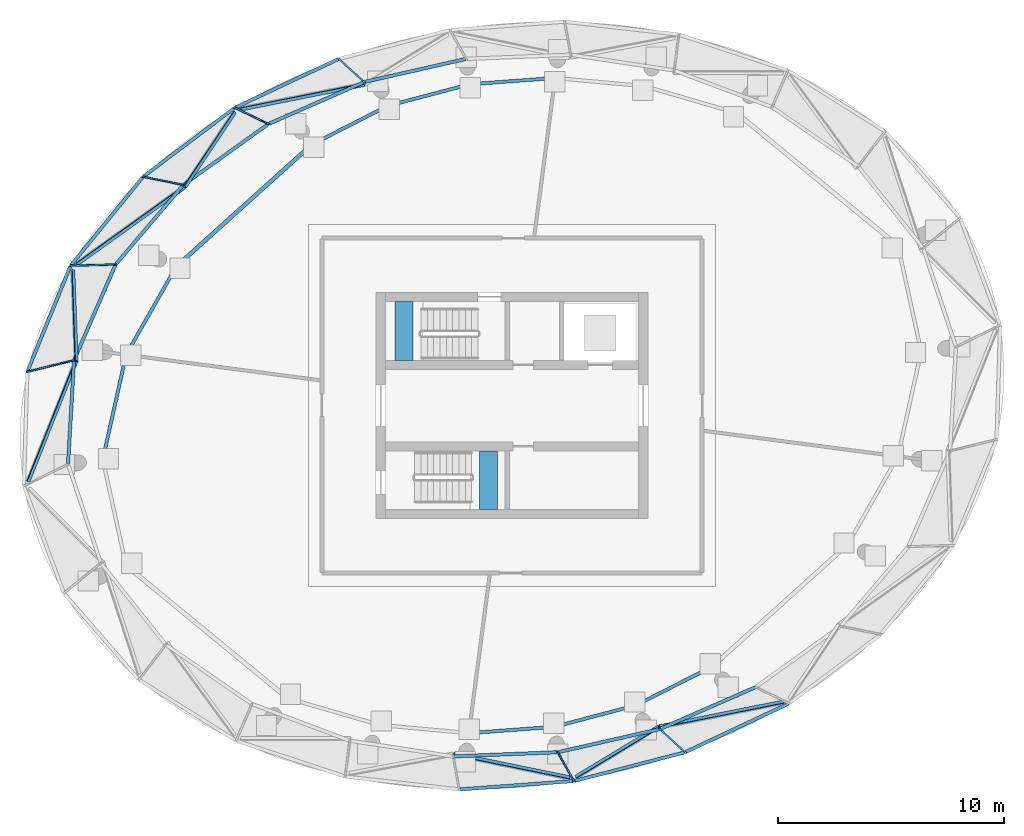
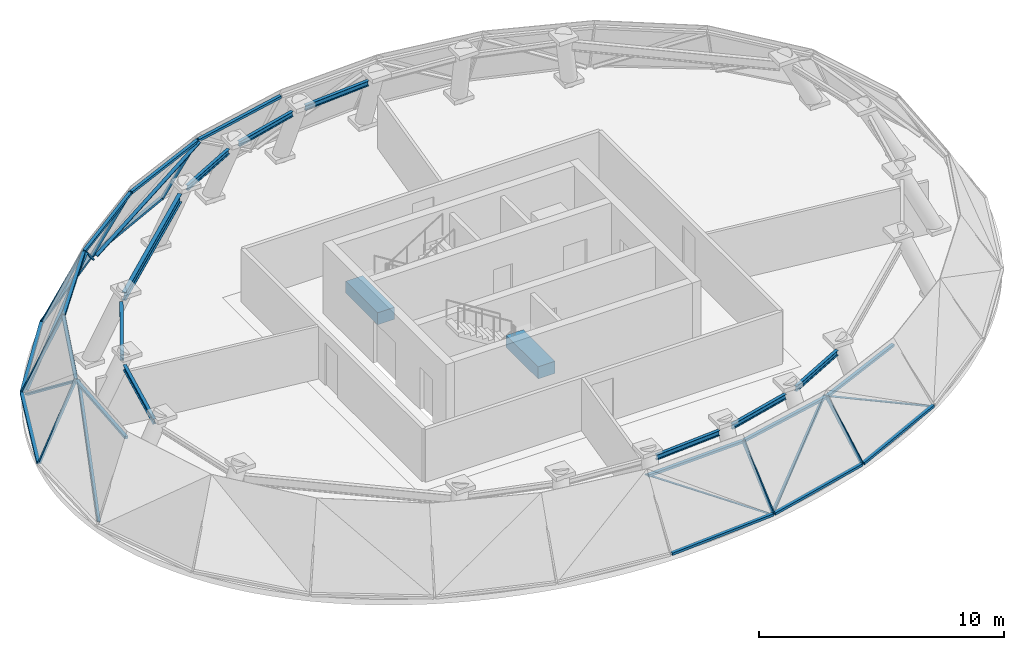
# One storey, part 2 of 9: 31 members, 11 beams, 17 elements without a shape of their own.
"""IFC4 building model written with IfcOpenShell, lengths in metres."""

import ifcopenshell
import ifcopenshell.guid

model = None  # the IFC model being written
_history = None  # IfcOwnerHistory: only IFC2X3 demands one
_inside = {}  # id of a spatial element -> (the spatial element, [elements in it])
_under = {}  # id of a project, library or spatial element -> (it, [spatial elements below it])
_declared = {}  # id of a project -> (the project, [libraries it declares])
_typed = {}  # id of a type object -> (the type object, [elements of that type])
_made_of = {}  # id of a material, layer set ... -> (it, [elements and type objects made of it])


def new_model(schema):
    """Start an empty IFC model of exactly this schema.

    Asked for "IFC4X3", IfcOpenShell would pick the latest addendum, in which some entities
    have other attributes; the version numbers below select the first issue.
    IFC2X3 requires an IfcOwnerHistory on every rooted entity: one is made here for all.
    """
    global model, _history
    if schema == "IFC4X3":
        model = ifcopenshell.file(schema_version=(4, 3, 0, 0))
    else:
        model = ifcopenshell.file(schema=schema)
    _inside.clear()
    _under.clear()
    _declared.clear()
    _typed.clear()
    _made_of.clear()
    _history = None
    if model.schema == "IFC2X3":
        org = make("IfcOrganization", Name="unknown")
        user = make(
            "IfcPersonAndOrganization",
            ThePerson=make("IfcPerson", FamilyName="unknown"),
            TheOrganization=org,
        )
        app = make(
            "IfcApplication",
            ApplicationDeveloper=org,
            Version="unknown",
            ApplicationFullName="unknown",
            ApplicationIdentifier="unknown",
        )
        _history = make(
            "IfcOwnerHistory",
            OwningUser=user,
            OwningApplication=app,
            ChangeAction="ADDED",
            CreationDate=0,
        )
    return model


def make(cls, **values):
    """One entity of the class cls with the attributes given. An attribute that is None is left unset."""
    return model.create_entity(
        cls, **{name: value for name, value in values.items() if value is not None}
    )


def rooted(cls, **values):
    """An entity with a GlobalId (a new one), such as an element, a storey or a relation."""
    return make(cls, GlobalId=ifcopenshell.guid.new(), OwnerHistory=_history, **values)


def si_unit(unit_type, name, prefix=None):
    """IfcSIUnit, for example si_unit("LENGTHUNIT", "METRE", prefix="MILLI")."""
    return make("IfcSIUnit", UnitType=unit_type, Prefix=prefix, Name=name)


def assignment(units):
    """IfcUnitAssignment: the units of a project."""
    return None if units is None else make("IfcUnitAssignment", Units=units)


def point(xyz):
    """IfcCartesianPoint."""
    return None if xyz is None else make("IfcCartesianPoint", Coordinates=xyz)


def direction(xyz):
    """IfcDirection."""
    return None if xyz is None else make("IfcDirection", DirectionRatios=xyz)


def frame(location, z_axis=None, x_axis=None):
    """IfcAxis2Placement3D, a coordinate frame: its origin and axes. An axis left out is left unset."""
    return make(
        "IfcAxis2Placement3D",
        Location=point(location),
        Axis=direction(z_axis),
        RefDirection=direction(x_axis),
    )


def frame_2d(location, x_axis=None):
    """IfcAxis2Placement2D, a coordinate frame in the plane: its origin and x axis."""
    return make(
        "IfcAxis2Placement2D", Location=point(location), RefDirection=direction(x_axis)
    )


def origin():
    """The frame at (0, 0, 0) with its axes left unset."""
    return frame((0.0, 0.0, 0.0))


def origin_2d():
    """The frame at (0, 0) in the plane with its x axis left unset."""
    return frame_2d((0.0, 0.0))


def place(relative_to, where):
    """IfcLocalPlacement: puts the frame where relative to a parent placement (None: the world)."""
    return make(
        "IfcLocalPlacement", PlacementRelTo=relative_to, RelativePlacement=where
    )


def context(
    kind, dimensions, precision=None, world=None, true_north=None, identifier=None
):
    """IfcGeometricRepresentationContext, for example the 3D "Model" context."""
    return make(
        "IfcGeometricRepresentationContext",
        ContextIdentifier=identifier,
        ContextType=kind,
        CoordinateSpaceDimension=dimensions,
        Precision=precision,
        WorldCoordinateSystem=world,
        TrueNorth=true_north,
    )


def subcontext(parent, identifier, kind, view, scale=None):
    """IfcGeometricRepresentationSubContext, for example "Body" below "Model"."""
    return make(
        "IfcGeometricRepresentationSubContext",
        ContextIdentifier=identifier,
        ContextType=kind,
        ParentContext=parent,
        TargetScale=scale,
        TargetView=view,
    )


def project(units=None, contexts=None):
    """IfcProject with its units and contexts."""
    return rooted(
        "IfcProject",
        Name="project",
        RepresentationContexts=contexts,
        UnitsInContext=assignment(units),
    )


def spatial(cls, under=None, at=None, **own):
    """A site, building, storey or space (cls), placed at a placement, below another one or the project."""
    s = rooted(cls, ObjectPlacement=at, **own)
    if under is not None:
        _under.setdefault(under.id(), (under, []))[1].append(s)
    return s


def profile(cls, at=None, kind="AREA", **sizes):
    """A parametric profile (cls). Its sizes go by their IFC names, for example OverallWidth=200.0."""
    return make(cls, ProfileType=kind, Position=at, **sizes)


def rectangle(**sizes):
    """IfcRectangleProfileDef."""
    return profile("IfcRectangleProfileDef", **sizes)


def i_section(**sizes):
    """IfcIShapeProfileDef."""
    return profile("IfcIShapeProfileDef", **sizes)


def extrude(swept, where, along, depth):
    """IfcExtrudedAreaSolid: the profile swept, set in the frame where, extruded along a direction by depth."""
    return make(
        "IfcExtrudedAreaSolid",
        SweptArea=swept,
        Position=where,
        ExtrudedDirection=direction(along),
        Depth=depth,
    )


def shape(context_of_items, identifier, shape_type, items):
    """IfcShapeRepresentation: the items that make up one representation, for example the "Body"."""
    return make(
        "IfcShapeRepresentation",
        ContextOfItems=context_of_items,
        RepresentationIdentifier=identifier,
        RepresentationType=shape_type,
        Items=items,
    )


def source(mapping_origin, context_of_items, identifier, shape_type, items):
    """IfcRepresentationMap: a shape defined once, which mapped items show again and again."""
    return make(
        "IfcRepresentationMap",
        MappingOrigin=mapping_origin,
        MappedRepresentation=shape(context_of_items, identifier, shape_type, items),
    )


def transform(
    local_origin,
    x_axis=None,
    y_axis=None,
    z_axis=None,
    scale=None,
    scale2=None,
    scale3=None,
    uniform=True,
):
    """IfcCartesianTransformationOperator3D, or its non-uniform kind. x_axis, y_axis, z_axis: its Axis1, 2, 3."""
    if uniform:
        return make(
            "IfcCartesianTransformationOperator3D",
            Axis1=direction(x_axis),
            Axis2=direction(y_axis),
            LocalOrigin=point(local_origin),
            Scale=scale,
            Axis3=direction(z_axis),
        )
    return make(
        "IfcCartesianTransformationOperator3DnonUniform",
        Axis1=direction(x_axis),
        Axis2=direction(y_axis),
        LocalOrigin=point(local_origin),
        Scale=scale,
        Axis3=direction(z_axis),
        Scale2=scale2,
        Scale3=scale3,
    )


def mapped(mapping_source, mapping_target):
    """IfcMappedItem: shows the shape of a source again, moved by a transform."""
    return make(
        "IfcMappedItem", MappingSource=mapping_source, MappingTarget=mapping_target
    )


def material(Name=None, Category=None):
    """IfcMaterial."""
    return make("IfcMaterial", Name=Name, Category=Category)


def layer(
    of_material, thickness, ventilated=None, Name=None, Category=None, Priority=None
):
    """IfcMaterialLayer: one layer of a wall or slab, of a material (None: an air gap)."""
    return make(
        "IfcMaterialLayer",
        Material=of_material,
        LayerThickness=thickness,
        IsVentilated=ventilated,
        Name=Name,
        Category=Category,
        Priority=Priority,
    )


def layer_set(layers, Name=None):
    """IfcMaterialLayerSet."""
    return make("IfcMaterialLayerSet", MaterialLayers=layers, LayerSetName=Name)


def material_profile(
    of_material, cross_section, Name=None, Category=None, Priority=None
):
    """IfcMaterialProfile: a cross section and its material."""
    return make(
        "IfcMaterialProfile",
        Name=Name,
        Material=of_material,
        Profile=cross_section,
        Priority=Priority,
        Category=Category,
    )


def profile_set(profiles, Name=None, composite=None):
    """IfcMaterialProfileSet."""
    return make(
        "IfcMaterialProfileSet",
        Name=Name,
        MaterialProfiles=profiles,
        CompositeProfile=composite,
    )


def made_of(thing, what):
    """Note that an element or type object is made of a material, layer set ...; save() writes the relation."""
    if what is not None:
        _made_of.setdefault(what.id(), (what, []))[1].append(thing)
    return thing


def type_object(cls, material=None, **own):
    """A type object (cls), such as IfcWallType, which elements share."""
    return made_of(rooted(cls, **own), material)


def element(
    cls,
    number,
    at=None,
    inside=None,
    cuts=None,
    type_object=None,
    material=None,
    context=None,
    identifier="Body",
    shape_type=None,
    held_by="IfcProductDefinitionShape",
    body=None,
    shapes=None,
    **own,
):
    """One element of the class cls, such as IfcWall. Its Tag is "e" and its number.

    at: its placement. inside: the storey or other place that contains it. cuts: it is an
    opening in that element (IfcRelVoidsElement). A single representation is given by context,
    identifier, shape_type and body (its items); several are given by shapes. held_by: the class
    of the entity that holds the representations. save() writes the other relations.
    """
    e = rooted(cls, Tag="e%d" % number, ObjectPlacement=at, **own)
    if body is not None:
        shapes = [shape(context, identifier, shape_type, body)]
    if shapes is not None:
        e.Representation = make(held_by, Representations=shapes)
    if inside is not None:
        _inside.setdefault(inside.id(), (inside, []))[1].append(e)
    if cuts is not None:
        rooted(
            "IfcRelVoidsElement", RelatingBuildingElement=cuts, RelatedOpeningElement=e
        )
    if type_object is not None:
        _typed.setdefault(type_object.id(), (type_object, []))[1].append(e)
    return made_of(e, material)


def aggregate(whole, parts):
    """IfcRelAggregates: a whole, such as a stair, and the parts it consists of."""
    return rooted("IfcRelAggregates", RelatingObject=whole, RelatedObjects=parts)


def save(model, path):
    """Write the relations noted so far, then the file.

    IfcRelAggregates (storeys below a building ...), IfcRelContainedInSpatialStructure (elements
    in a storey), IfcRelDefinesByType, IfcRelAssociatesMaterial and IfcRelDeclares: one each for
    every whole, place, type object, material and project.
    """
    for whole, parts in _under.values():
        aggregate(whole, parts)
    for where, things in _inside.values():
        rooted(
            "IfcRelContainedInSpatialStructure",
            RelatedElements=things,
            RelatingStructure=where,
        )
    for kind, things in _typed.values():
        rooted("IfcRelDefinesByType", RelatedObjects=things, RelatingType=kind)
    for what, things in _made_of.values():
        rooted("IfcRelAssociatesMaterial", RelatedObjects=things, RelatingMaterial=what)
    for by, libraries in _declared.values():
        rooted("IfcRelDeclares", RelatingContext=by, RelatedDefinitions=libraries)
    model.write(path)


model = new_model("IFC4")

# Units and contexts
model_context = context("Model", 3, precision=1e-05, world=origin(), true_north=direction((0.0, 1.0)))
body_context = subcontext(model_context, "Body", "Model", "MODEL_VIEW")
ifc_project = project(units=[si_unit("LENGTHUNIT", "METRE"), si_unit("AREAUNIT", "SQUARE_METRE"), si_unit("VOLUMEUNIT", "CUBIC_METRE"), si_unit("PLANEANGLEUNIT", "RADIAN"), si_unit("MASSUNIT", "GRAM", prefix="KILO")], contexts=[model_context])

# Site, building, storey
site_placement = place(None, origin())
site = spatial("IfcSite", under=ifc_project, at=site_placement, CompositionType="ELEMENT")
building_placement = place(site_placement, origin())
building = spatial("IfcBuilding", under=site, at=building_placement, Name="Spindrift Exchange Tower", CompositionType="ELEMENT")
storey_placement = place(building_placement, frame((0.0, 0.0, 269.60009765625)))
storey = spatial("IfcBuildingStorey", under=building, at=storey_placement, Name="L66", CompositionType="ELEMENT", Elevation=269.60009765625)

# Beams
ifc_material_1 = material(Name="Steel Grade 300", Category="steel")
ifc_material_profile_1 = material_profile(ifc_material_1, i_section(OverallWidth=0.14599609375, OverallDepth=0.251953125, WebThickness=0.006103515625, FlangeThickness=0.008544921875, FilletRadius=0.011962890625, at=origin_2d()), Name="250UB31.4")
ifc_profile_set_1 = profile_set([ifc_material_profile_1], Name="Steel Grade 300")
beam_type_1 = type_object("IfcBeamType", Name="Edge Beam 250UB31.4 Steel Grade 300", PredefinedType="SPANDREL", material=ifc_profile_set_1)
shared_shape_1 = source(origin(), body_context, "Body", "SweptSolid", [
    extrude(i_section(OverallWidth=0.14599609375, OverallDepth=0.251953125, WebThickness=0.006103515625, FlangeThickness=0.008544921875, FilletRadius=0.011962890625, at=origin_2d()), origin(), (0.0, 0.0, 1.0), 3.124755859375),
])
for number, where, z_axis, x_axis, name in (
    (1, (53.576416015625, 62.44970703125, 3.093994140625), (-0.99729348937, -0.073523438851, 0.0), (0.073523438851, -0.99729348937, 0.0), "L66 edge beam E06"),
    (2, (50.423583984375, 33.55029296875, 3.093994140625), (0.99729348937, 0.073523438851, 0.0), (-0.073523438851, 0.99729348937, 0.0), "L66 edge beam E18"),
):
    element("IfcBeam", number, at=place(storey_placement, frame(where, z_axis=z_axis, x_axis=x_axis)), inside=storey, type_object=beam_type_1, Name=name, PredefinedType="SPANDREL", context=body_context, shape_type="MappedRepresentation", body=[
        mapped(shared_shape_1, transform((0.0, 0.0, 0.0), scale=1.0)),
    ])
shared_shape_2 = source(origin(), body_context, "Body", "SweptSolid", [
    extrude(i_section(OverallWidth=0.14599609375, OverallDepth=0.251953125, WebThickness=0.006103515625, FlangeThickness=0.008544921875, FilletRadius=0.011962890625, at=origin_2d()), origin(), (0.0, 0.0, 1.0), 3.079833984375),
])
for number, where, z_axis, x_axis, name in (
    (3, (49.81201171875, 62.111572265625, 3.093994140625), (-0.966976914754, -0.254863976138, 0.0), (0.254863976138, -0.966976914754, 0.0), "L66 edge beam E07"),
    (4, (54.18798828125, 33.888427734375, 3.093994140625), (0.966976914754, 0.254863976138, 0.0), (-0.254863976138, 0.966976914754, 0.0), "L66 edge beam E19"),
):
    element("IfcBeam", number, at=place(storey_placement, frame(where, z_axis=z_axis, x_axis=x_axis)), inside=storey, type_object=beam_type_1, Name=name, PredefinedType="SPANDREL", context=body_context, shape_type="MappedRepresentation", body=[
        mapped(shared_shape_2, transform((0.0, 0.0, 0.0), scale=1.0)),
    ])
shared_shape_3 = source(origin(), body_context, "Body", "SweptSolid", [
    extrude(i_section(OverallWidth=0.14599609375, OverallDepth=0.251953125, WebThickness=0.006103515625, FlangeThickness=0.008544921875, FilletRadius=0.011962890625, at=origin_2d()), origin(), (0.0, 0.0, 1.0), 3.113525390625),
])
for number, where, z_axis, x_axis, name in (
    (5, (46.220703125, 61.093017578125, 3.093994140625), (-0.891268578549, -0.453475821727, 0.0), (0.453475821727, -0.891268578549, 0.0), "L66 edge beam E08"),
    (6, (57.779296875, 34.906982421875, 3.093994140625), (0.891268578549, 0.453475821727, 0.0), (-0.453475821727, 0.891268578549, 0.0), "L66 edge beam E20"),
):
    element("IfcBeam", number, at=place(storey_placement, frame(where, z_axis=z_axis, x_axis=x_axis)), inside=storey, type_object=beam_type_1, Name=name, PredefinedType="SPANDREL", context=body_context, shape_type="MappedRepresentation", body=[
        mapped(shared_shape_3, transform((0.0, 0.0, 0.0), scale=1.0)),
    ])
ifc_material_profile_2 = material_profile(ifc_material_1, i_section(OverallWidth=0.177978515625, OverallDepth=0.406005859375, WebThickness=0.0078125, FlangeThickness=0.0126953125, FilletRadius=0.013916015625, at=origin_2d()), Name="410UB59.7")
ifc_profile_set_2 = profile_set([ifc_material_profile_2], Name="Steel Grade 300")
beam_type_2 = type_object("IfcBeamType", Name="Edge Beam 410UB59.7 Steel Grade 300", PredefinedType="SPANDREL", material=ifc_profile_set_2)
shared_shape_4 = source(origin(), body_context, "Body", "SweptSolid", [
    extrude(i_section(OverallWidth=0.177978515625, OverallDepth=0.406005859375, WebThickness=0.0078125, FlangeThickness=0.0126953125, FilletRadius=0.013916015625, at=origin_2d()), origin(), (0.0, 0.0, 1.0), 7.392578125),
])
beam_1_placement = place(storey_placement, frame((42.90625, 59.310791015625, 3.016845703125), z_axis=(-0.743236668357, -0.669028590428, 0.0), x_axis=(0.669028590428, -0.743236668357, 0.0)))
element("IfcBeam", 7, at=beam_1_placement, inside=storey, type_object=beam_type_2, Name="L66 edge beam E09", PredefinedType="SPANDREL", context=body_context, shape_type="MappedRepresentation", body=[
    mapped(shared_shape_4, transform((0.0, 0.0, 0.0), scale=1.0)),
])
shared_shape_5 = source(origin(), body_context, "Body", "SweptSolid", [
    extrude(i_section(OverallWidth=0.14599609375, OverallDepth=0.251953125, WebThickness=0.006103515625, FlangeThickness=0.008544921875, FilletRadius=0.011962890625, at=origin_2d()), origin(), (0.0, 0.0, 1.0), 3.825927734375),
])
beam_2_placement = place(storey_placement, frame((37.00341796875, 53.857421875, 3.093994140625), z_axis=(-0.49428236907, -0.869301408964, 0.0), x_axis=(0.869301408964, -0.49428236907, 0.0)))
element("IfcBeam", 8, at=beam_2_placement, inside=storey, type_object=beam_type_1, Name="L66 edge beam E11", PredefinedType="SPANDREL", context=body_context, shape_type="MappedRepresentation", body=[
    mapped(shared_shape_5, transform((0.0, 0.0, 0.0), scale=1.0)),
])
shared_shape_6 = source(origin(), body_context, "Body", "SweptSolid", [
    extrude(i_section(OverallWidth=0.14599609375, OverallDepth=0.251953125, WebThickness=0.006103515625, FlangeThickness=0.008544921875, FilletRadius=0.011962890625, at=origin_2d()), origin(), (0.0, 0.0, 1.0), 4.07861328125),
])
beam_3_placement = place(storey_placement, frame((34.87744140625, 49.922607421875, 3.093994140625), z_axis=(-0.217469159282, -0.976067192749, 0.0), x_axis=(0.976067192749, -0.217469159282, 0.0)))
element("IfcBeam", 9, at=beam_3_placement, inside=storey, type_object=beam_type_1, Name="L66 edge beam E12", PredefinedType="SPANDREL", context=body_context, shape_type="MappedRepresentation", body=[
    mapped(shared_shape_6, transform((0.0, 0.0, 0.0), scale=1.0)),
])

# Curtain wall, member
ifc_material_2 = material(Name="Fritted laminated glass with bronze frame", Category="glass")
ifc_layer = layer(ifc_material_2, 0.14990234375)
ifc_layer_set = layer_set([ifc_layer], Name="CROWN BRONZE RAKED GLAZED WALL")
curtain_wall_type = type_object("IfcCurtainWallType", Name="CROWN BRONZE RAKED GLAZED WALL", PredefinedType="NOTDEFINED", material=ifc_layer_set)
curtain_wall_1_placement = place(storey_placement, origin())
curtain_wall_1 = element("IfcCurtainWall", 10, at=curtain_wall_1_placement, inside=storey, type_object=curtain_wall_type, Name="L66 Crown Bronze Raked Glazed Wall facet 21", PredefinedType="NOTDEFINED")
ifc_material_3 = material(Name="Bronze anodised aluminium", Category="aluminium")
ifc_material_profile_3 = material_profile(ifc_material_3, rectangle(XDim=0.14990234375, YDim=0.1201171875, at=origin_2d()), Name="CROWN BRONZE RAKED GLAZED WALL TRANSOM 150X120")
ifc_profile_set_3 = profile_set([ifc_material_profile_3], Name="Bronze anodised aluminium")
member_type_1 = type_object("IfcMemberType", Name="CROWN BRONZE RAKED GLAZED WALL TRANSOM 150X120", PredefinedType="USERDEFINED", material=ifc_profile_set_3)
shared_shape_7 = source(origin(), body_context, "Body", "SweptSolid", [
    extrude(rectangle(XDim=0.14990234375, YDim=0.1201171875, at=origin_2d()), origin(), (0.0, 0.0, 1.0), 4.9912109375),
])
member_1_placement = place(storey_placement, frame((32.484375, 54.1474609375, 0.059814453125), z_axis=(-0.378051870103, -0.925784415246, 0.0), x_axis=(0.925784415246, -0.378051870103, 0.0)))
member_1 = element("IfcMember", 11, at=member_1_placement, type_object=member_type_1, Name="L66 transom CW-R.11a", ObjectType="TRANSOM", PredefinedType="USERDEFINED", context=body_context, shape_type="MappedRepresentation", body=[
    mapped(shared_shape_7, transform((0.0, 0.0, 0.0), scale=1.0)),
])

curtain_wall_2_placement = place(storey_placement, origin())
curtain_wall_2 = element("IfcCurtainWall", 12, at=curtain_wall_2_placement, inside=storey, type_object=curtain_wall_type, Name="L66 Crown Bronze Raked Glazed Wall facet 20", PredefinedType="NOTDEFINED")
shared_shape_8 = source(origin(), body_context, "Body", "SweptSolid", [
    extrude(rectangle(XDim=0.14990234375, YDim=0.1201171875, at=origin_2d()), origin(), (0.0, 0.0, 1.0), 4.546630859375),
])
member_2_placement = place(storey_placement, frame((34.508056640625, 54.259765625, 3.159912109375), z_axis=(0.648125255307, 0.761533750685, 0.0), x_axis=(-0.761533750685, 0.648125255307, 0.0)))
member_2 = element("IfcMember", 13, at=member_2_placement, type_object=member_type_1, Name="L66 transom CW-R.10b", ObjectType="TRANSOM", PredefinedType="USERDEFINED", context=body_context, shape_type="MappedRepresentation", body=[
    mapped(shared_shape_8, transform((0.0, 0.0, 0.0), scale=1.0)),
])

curtain_wall_3_placement = place(storey_placement, origin())
curtain_wall_3 = element("IfcCurtainWall", 14, at=curtain_wall_3_placement, inside=storey, type_object=curtain_wall_type, Name="L66 Crown Bronze Raked Glazed Wall facet 18", PredefinedType="NOTDEFINED")
shared_shape_9 = source(origin(), body_context, "Body", "SweptSolid", [
    extrude(rectangle(XDim=0.14990234375, YDim=0.1201171875, at=origin_2d()), origin(), (0.0, 0.0, 1.0), 4.55078125),
])
member_3_placement = place(storey_placement, frame((41.204833984375, 60.420166015625, 3.159912109375), z_axis=(-0.812822631171, -0.582511261914, 0.0), x_axis=(0.582511261914, -0.812822631171, 0.0)))
member_3 = element("IfcMember", 15, at=member_3_placement, type_object=member_type_1, Name="L66 transom CW-R.9b", ObjectType="TRANSOM", PredefinedType="USERDEFINED", context=body_context, shape_type="MappedRepresentation", body=[
    mapped(shared_shape_9, transform((0.0, 0.0, 0.0), scale=1.0)),
])

curtain_wall_4_placement = place(storey_placement, origin())
curtain_wall_4 = element("IfcCurtainWall", 16, at=curtain_wall_4_placement, inside=storey, type_object=curtain_wall_type, Name="L66 Crown Bronze Raked Glazed Wall facet 16", PredefinedType="NOTDEFINED")
shared_shape_10 = source(origin(), body_context, "Body", "SweptSolid", [
    extrude(rectangle(XDim=0.14990234375, YDim=0.1201171875, at=origin_2d()), origin(), (0.0, 0.0, 1.0), 4.552734375),
])
member_4_placement = place(storey_placement, frame((41.265380859375, 60.45458984375, 3.159912109375), z_axis=(0.915959076249, 0.401271691796, 0.0), x_axis=(-0.401271691796, 0.915959076249, 0.0)))
member_4 = element("IfcMember", 17, at=member_4_placement, type_object=member_type_1, Name="L66 transom CW-R.8b", ObjectType="TRANSOM", PredefinedType="USERDEFINED", context=body_context, shape_type="MappedRepresentation", body=[
    mapped(shared_shape_10, transform((0.0, 0.0, 0.0), scale=1.0)),
])

curtain_wall_5_placement = place(storey_placement, origin())
curtain_wall_5 = element("IfcCurtainWall", 18, at=curtain_wall_5_placement, inside=storey, type_object=curtain_wall_type, Name="L66 Crown Bronze Raked Glazed Wall facet 40", PredefinedType="NOTDEFINED")
member_5_placement = place(storey_placement, frame((62.734619140625, 35.54541015625, 3.159912109375), z_axis=(-0.915959076249, -0.401271691796, 0.0), x_axis=(0.401271691796, -0.915959076249, 0.0)))
member_5 = element("IfcMember", 19, at=member_5_placement, type_object=member_type_1, Name="L66 transom CW-R.20b", ObjectType="TRANSOM", PredefinedType="USERDEFINED", context=body_context, shape_type="MappedRepresentation", body=[
    mapped(shared_shape_10, transform((0.0, 0.0, 0.0), scale=1.0)),
])

curtain_wall_6_placement = place(storey_placement, origin())
curtain_wall_6 = element("IfcCurtainWall", 20, at=curtain_wall_6_placement, inside=storey, type_object=curtain_wall_type, Name="L66 Crown Bronze Raked Glazed Wall facet 35", PredefinedType="NOTDEFINED")
shared_shape_11 = source(origin(), body_context, "Body", "SweptSolid", [
    extrude(rectangle(XDim=0.14990234375, YDim=0.1201171875, at=origin_2d()), origin(), (0.0, 0.0, 1.0), 5.007080078125),
])
member_6_placement = place(storey_placement, frame((54.700927734375, 31.406494140625, 0.059814453125), z_axis=(-0.997300383789, -0.073429861053, 0.0), x_axis=(0.073429861053, -0.997300383789, 0.0)))
member_6 = element("IfcMember", 21, at=member_6_placement, type_object=member_type_1, Name="L66 transom CW-R.18a", ObjectType="TRANSOM", PredefinedType="USERDEFINED", context=body_context, shape_type="MappedRepresentation", body=[
    mapped(shared_shape_11, transform((0.0, 0.0, 0.0), scale=1.0)),
])
aggregate(curtain_wall_6, [member_6])

curtain_wall_7_placement = place(storey_placement, origin())
curtain_wall_7 = element("IfcCurtainWall", 22, at=curtain_wall_7_placement, inside=storey, type_object=curtain_wall_type, Name="L66 Crown Bronze Raked Glazed Wall facet 37", PredefinedType="NOTDEFINED")
member_7_placement = place(storey_placement, frame((54.769775390625, 31.417724609375, 0.059814453125), z_axis=(0.968071874412, 0.25067278666, 0.0), x_axis=(-0.25067278666, 0.968071874412, 0.0)))
member_7 = element("IfcMember", 23, at=member_7_placement, type_object=member_type_1, Name="L66 transom CW-R.19a", ObjectType="TRANSOM", PredefinedType="USERDEFINED", context=body_context, shape_type="MappedRepresentation", body=[
    mapped(shared_shape_11, transform((0.0, 0.0, 0.0), scale=1.0)),
])

curtain_wall_8_placement = place(storey_placement, origin())
curtain_wall_8 = element("IfcCurtainWall", 24, at=curtain_wall_8_placement, inside=storey, type_object=curtain_wall_type, Name="L66 Crown Bronze Raked Glazed Wall facet 14", PredefinedType="NOTDEFINED")
shared_shape_12 = source(origin(), body_context, "Body", "SweptSolid", [
    extrude(rectangle(XDim=0.14990234375, YDim=0.1201171875, at=origin_2d()), origin(), (0.0, 0.0, 1.0), 4.553955078125),
])
member_8_placement = place(storey_placement, frame((49.942626953125, 63.311279296875, 3.159912109375), z_axis=(-0.975203376257, -0.221310584782, 0.0), x_axis=(0.221310584782, -0.975203376257, 0.0)))
member_8 = element("IfcMember", 25, at=member_8_placement, type_object=member_type_1, Name="L66 transom CW-R.7b", ObjectType="TRANSOM", PredefinedType="USERDEFINED", context=body_context, shape_type="MappedRepresentation", body=[
    mapped(shared_shape_12, transform((0.0, 0.0, 0.0), scale=1.0)),
])
aggregate(curtain_wall_8, [member_8])

curtain_wall_9_placement = place(storey_placement, origin())
curtain_wall_9 = element("IfcCurtainWall", 26, at=curtain_wall_9_placement, inside=storey, type_object=curtain_wall_type, Name="L66 Crown Bronze Raked Glazed Wall facet 36", PredefinedType="NOTDEFINED")
member_9_placement = place(storey_placement, frame((53.98828125, 32.6796875, 3.159912109375), z_axis=(-0.999221211639, -0.03945846184, 0.0), x_axis=(0.03945846184, -0.999221211639, 0.0)))
member_9 = element("IfcMember", 27, at=member_9_placement, type_object=member_type_1, Name="L66 transom CW-R.18b", ObjectType="TRANSOM", PredefinedType="USERDEFINED", context=body_context, shape_type="MappedRepresentation", body=[
    mapped(shared_shape_12, transform((0.0, 0.0, 0.0), scale=1.0)),
])

curtain_wall_10_placement = place(storey_placement, origin())
curtain_wall_10 = element("IfcCurtainWall", 28, at=curtain_wall_10_placement, inside=storey, type_object=curtain_wall_type, Name="L66 Crown Bronze Raked Glazed Wall facet 38", PredefinedType="NOTDEFINED")
member_10_placement = place(storey_placement, frame((54.057373046875, 32.688720703125, 3.159912109375), z_axis=(0.975203376257, 0.221310584782, 0.0), x_axis=(-0.221310584782, 0.975203376257, 0.0)))
member_10 = element("IfcMember", 29, at=member_10_placement, type_object=member_type_1, Name="L66 transom CW-R.19b", ObjectType="TRANSOM", PredefinedType="USERDEFINED", context=body_context, shape_type="MappedRepresentation", body=[
    mapped(shared_shape_12, transform((0.0, 0.0, 0.0), scale=1.0)),
])

# Member
ifc_material_profile_4 = material_profile(ifc_material_3, rectangle(XDim=0.070068359375, YDim=0.14990234375, at=origin_2d()), Name="CROWN BRONZE RAKED GLAZED WALL MULLION 70X150")
ifc_profile_set_4 = profile_set([ifc_material_profile_4], Name="Bronze anodised aluminium")
member_type_2 = type_object("IfcMemberType", Name="CROWN BRONZE RAKED GLAZED WALL MULLION 70X150", PredefinedType="MULLION", material=ifc_profile_set_4)
shared_shape_13 = source(origin(), body_context, "Body", "SweptSolid", [
    extrude(rectangle(XDim=0.070068359375, YDim=0.14990234375, at=origin_2d()), origin(), (0.0, 0.0, 1.0), 6.070556640625),
])
member_11_placement = place(storey_placement, frame((54.544677734375, 31.564453125, 0.064453125), z_axis=(-0.843233159956, 0.172290306541, 0.509189442371), x_axis=(-0.536162055062, -0.337545685456, -0.77368802559)))
member_11 = element("IfcMember", 30, at=member_11_placement, type_object=member_type_2, Name="L66 glazing bar CW-R.18", PredefinedType="MULLION", context=body_context, shape_type="MappedRepresentation", body=[
    mapped(shared_shape_13, transform((0.0, 0.0, 0.0), scale=1.0)),
])

aggregate(curtain_wall_9, [member_9, member_11])

shared_shape_14 = source(origin(), body_context, "Body", "SweptSolid", [
    extrude(rectangle(XDim=0.070068359375, YDim=0.14990234375, at=origin_2d()), origin(), (0.0, 0.0, 1.0), 3.466796875),
])
member_12_placement = place(storey_placement, frame((54.72900390625, 31.421142578125, 0.03076171875), z_axis=(-0.20161523641, 0.359851155451, 0.910965664758), x_axis=(-0.872404102717, -0.488785312344, 0.0)))
member_12 = element("IfcMember", 31, at=member_12_placement, type_object=member_type_2, Name="L66 mullion CW-R.19", PredefinedType="MULLION", context=body_context, shape_type="MappedRepresentation", body=[
    mapped(shared_shape_14, transform((0.0, 0.0, 0.0), scale=1.0)),
])

aggregate(curtain_wall_10, [member_10, member_12])

shared_shape_15 = source(origin(), body_context, "Body", "SweptSolid", [
    extrude(rectangle(XDim=0.070068359375, YDim=0.14990234375, at=origin_2d()), origin(), (0.0, 0.0, 1.0), 5.275146484375),
])
member_13_placement = place(storey_placement, frame((54.832763671875, 31.599853515625, 0.060546875), z_axis=(0.692557848838, 0.418709627001, 0.587406055697), x_axis=(-0.682607841194, 0.117081213491, 0.721344941472)))
member_13 = element("IfcMember", 32, at=member_13_placement, type_object=member_type_2, Name="L66 glazing bar CW-R.19", PredefinedType="MULLION", context=body_context, shape_type="MappedRepresentation", body=[
    mapped(shared_shape_15, transform((0.0, 0.0, 0.0), scale=1.0)),
])

aggregate(curtain_wall_7, [member_7, member_13])

# Curtain wall, member
curtain_wall_11_placement = place(storey_placement, origin())
curtain_wall_11 = element("IfcCurtainWall", 33, at=curtain_wall_11_placement, inside=storey, type_object=curtain_wall_type, Name="L66 Crown Bronze Raked Glazed Wall facet 15", PredefinedType="NOTDEFINED")
shared_shape_16 = source(origin(), body_context, "Body", "SweptSolid", [
    extrude(rectangle(XDim=0.14990234375, YDim=0.1201171875, at=origin_2d()), origin(), (0.0, 0.0, 1.0), 5.00634765625),
])
member_14_placement = place(storey_placement, frame((39.786865234375, 61.173828125, 0.059814453125), z_axis=(0.905009809049, 0.425390697507, 0.0), x_axis=(-0.425390697507, 0.905009809049, 0.0)))
member_14 = element("IfcMember", 34, at=member_14_placement, type_object=member_type_1, Name="L66 transom CW-R.8a", ObjectType="TRANSOM", PredefinedType="USERDEFINED", context=body_context, shape_type="MappedRepresentation", body=[
    mapped(shared_shape_16, transform((0.0, 0.0, 0.0), scale=1.0)),
])

curtain_wall_12_placement = place(storey_placement, origin())
curtain_wall_12 = element("IfcCurtainWall", 35, at=curtain_wall_12_placement, inside=storey, type_object=curtain_wall_type, Name="L66 Crown Bronze Raked Glazed Wall facet 39", PredefinedType="NOTDEFINED")
member_15_placement = place(storey_placement, frame((64.213134765625, 34.826171875, 0.059814453125), z_axis=(-0.905009809049, -0.425390697507, 0.0), x_axis=(0.425390697507, -0.905009809049, 0.0)))
member_15 = element("IfcMember", 36, at=member_15_placement, type_object=member_type_1, Name="L66 transom CW-R.20a", ObjectType="TRANSOM", PredefinedType="USERDEFINED", context=body_context, shape_type="MappedRepresentation", body=[
    mapped(shared_shape_16, transform((0.0, 0.0, 0.0), scale=1.0)),
])

# Member
shared_shape_17 = source(origin(), body_context, "Body", "SweptSolid", [
    extrude(rectangle(XDim=0.070068359375, YDim=0.14990234375, at=origin_2d()), origin(), (0.0, 0.0, 1.0), 3.48828125),
])
member_16_placement = place(storey_placement, frame((44.3603515625, 63.30810546875, 0.03173828125), z_axis=(0.314245428478, -0.287370095619, 0.904802872909), x_axis=(0.67484592949, 0.737958651586, 0.0)))
member_16 = element("IfcMember", 37, at=member_16_placement, type_object=member_type_2, Name="L66 mullion CW-R.8", PredefinedType="MULLION", context=body_context, shape_type="MappedRepresentation", body=[
    mapped(shared_shape_17, transform((0.0, 0.0, 0.0), scale=1.0)),
])

aggregate(curtain_wall_11, [member_14, member_16])

member_17_placement = place(storey_placement, frame((59.6396484375, 32.69189453125, 0.03173828125), z_axis=(-0.314245428478, 0.287370095619, 0.904802872909), x_axis=(-0.67484592949, -0.737958651586, 0.0)))
member_17 = element("IfcMember", 38, at=member_17_placement, type_object=member_type_2, Name="L66 mullion CW-R.20", PredefinedType="MULLION", context=body_context, shape_type="MappedRepresentation", body=[
    mapped(shared_shape_17, transform((0.0, 0.0, 0.0), scale=1.0)),
])

aggregate(curtain_wall_12, [member_15, member_17])

shared_shape_18 = source(origin(), body_context, "Body", "SweptSolid", [
    extrude(rectangle(XDim=0.070068359375, YDim=0.14990234375, at=origin_2d()), origin(), (0.0, 0.0, 1.0), 6.384033203125),
])
member_18_placement = place(storey_placement, frame((40.00048828125, 61.08984375, 0.0654296875), z_axis=(0.858323784199, 0.170792818581, 0.483849247803), x_axis=(0.351560591297, 0.491108151255, -0.79700560501)))
member_18 = element("IfcMember", 39, at=member_18_placement, type_object=member_type_2, Name="L66 glazing bar CW-R.8", PredefinedType="MULLION", context=body_context, shape_type="MappedRepresentation", body=[
    mapped(shared_shape_18, transform((0.0, 0.0, 0.0), scale=1.0)),
])

aggregate(curtain_wall_4, [member_4, member_18])

member_19_placement = place(storey_placement, frame((63.99951171875, 34.91015625, 0.0654296875), z_axis=(-0.858323784199, -0.170792818581, 0.483849247803), x_axis=(-0.351560591297, -0.491108151255, -0.79700560501)))
member_19 = element("IfcMember", 40, at=member_19_placement, type_object=member_type_2, Name="L66 glazing bar CW-R.20", PredefinedType="MULLION", context=body_context, shape_type="MappedRepresentation", body=[
    mapped(shared_shape_18, transform((0.0, 0.0, 0.0), scale=1.0)),
])

aggregate(curtain_wall_5, [member_5, member_19])

# Curtain wall, member
curtain_wall_13_placement = place(storey_placement, origin())
curtain_wall_13 = element("IfcCurtainWall", 41, at=curtain_wall_13_placement, inside=storey, type_object=curtain_wall_type, Name="L66 Crown Bronze Raked Glazed Wall facet 17", PredefinedType="NOTDEFINED")
shared_shape_19 = source(origin(), body_context, "Body", "SweptSolid", [
    extrude(rectangle(XDim=0.14990234375, YDim=0.1201171875, at=origin_2d()), origin(), (0.0, 0.0, 1.0), 5.00390625),
])
member_20_placement = place(storey_placement, frame((39.727294921875, 61.137939453125, 0.059814453125), z_axis=(-0.799097440762, -0.601201530411, 0.0), x_axis=(0.601201530411, -0.799097440762, 0.0)))
member_20 = element("IfcMember", 42, at=member_20_placement, type_object=member_type_1, Name="L66 transom CW-R.9a", ObjectType="TRANSOM", PredefinedType="USERDEFINED", context=body_context, shape_type="MappedRepresentation", body=[
    mapped(shared_shape_19, transform((0.0, 0.0, 0.0), scale=1.0)),
])

# Member
shared_shape_20 = source(origin(), body_context, "Body", "SweptSolid", [
    extrude(rectangle(XDim=0.070068359375, YDim=0.14990234375, at=origin_2d()), origin(), (0.0, 0.0, 1.0), 3.53857421875),
])
member_21_placement = place(storey_placement, frame((39.77099609375, 61.1513671875, 0.033935546875), z_axis=(0.408849398219, -0.198767316279, 0.890692833448), x_axis=(0.437230215175, 0.899349619969, 0.0)))
member_21 = element("IfcMember", 43, at=member_21_placement, type_object=member_type_2, Name="L66 mullion CW-R.9", PredefinedType="MULLION", context=body_context, shape_type="MappedRepresentation", body=[
    mapped(shared_shape_20, transform((0.0, 0.0, 0.0), scale=1.0)),
])

aggregate(curtain_wall_3, [member_3, member_21])

shared_shape_21 = source(origin(), body_context, "Body", "SweptSolid", [
    extrude(rectangle(XDim=0.070068359375, YDim=0.14990234375, at=origin_2d()), origin(), (0.0, 0.0, 1.0), 5.02294921875),
])
member_22_placement = place(storey_placement, frame((39.75, 60.951416015625, 0.058837890625), z_axis=(-0.436861522237, -0.654028553985, 0.617574822156), x_axis=(0.705211590419, 0.177186456246, 0.686499506527)))
member_22 = element("IfcMember", 44, at=member_22_placement, type_object=member_type_2, Name="L66 glazing bar CW-R.9", PredefinedType="MULLION", context=body_context, shape_type="MappedRepresentation", body=[
    mapped(shared_shape_21, transform((0.0, 0.0, 0.0), scale=1.0)),
])

aggregate(curtain_wall_13, [member_20, member_22])

# Curtain wall, members
curtain_wall_14_placement = place(storey_placement, origin())
curtain_wall_14 = element("IfcCurtainWall", 45, at=curtain_wall_14_placement, inside=storey, type_object=curtain_wall_type, Name="L66 Crown Bronze Raked Glazed Wall facet 19", PredefinedType="NOTDEFINED")
shared_shape_22 = source(origin(), body_context, "Body", "SweptSolid", [
    extrude(rectangle(XDim=0.14990234375, YDim=0.1201171875, at=origin_2d()), origin(), (0.0, 0.0, 1.0), 4.9990234375),
])
member_23_placement = place(storey_placement, frame((32.519775390625, 54.20703125, 0.059814453125), z_axis=(0.631904466853, 0.775046285567, 0.0), x_axis=(-0.775046285567, 0.631904466853, 0.0)))
member_23 = element("IfcMember", 46, at=member_23_placement, type_object=member_type_1, Name="L66 transom CW-R.10a", ObjectType="TRANSOM", PredefinedType="USERDEFINED", context=body_context, shape_type="MappedRepresentation", body=[
    mapped(shared_shape_22, transform((0.0, 0.0, 0.0), scale=1.0)),
])
shared_shape_23 = source(origin(), body_context, "Body", "SweptSolid", [
    extrude(rectangle(XDim=0.070068359375, YDim=0.14990234375, at=origin_2d()), origin(), (0.0, 0.0, 1.0), 3.61083984375),
])
member_24_placement = place(storey_placement, frame((35.72119140625, 58.1044921875, 0.03662109375), z_axis=(0.480801831277, -0.097363892144, 0.871406834692), x_axis=(0.198474573643, 0.980106036925, 0.0)))
member_24 = element("IfcMember", 47, at=member_24_placement, type_object=member_type_2, Name="L66 mullion CW-R.10", PredefinedType="MULLION", context=body_context, shape_type="MappedRepresentation", body=[
    mapped(shared_shape_23, transform((0.0, 0.0, 0.0), scale=1.0)),
])
aggregate(curtain_wall_14, [member_23, member_24])

# Member
shared_shape_24 = source(origin(), body_context, "Body", "SweptSolid", [
    extrude(rectangle(XDim=0.070068359375, YDim=0.14990234375, at=origin_2d()), origin(), (0.0, 0.0, 1.0), 6.635986328125),
])
member_25_placement = place(storey_placement, frame((32.768798828125, 54.23583984375, 0.06640625), z_axis=(0.719485502107, 0.515663162075, 0.465222651572), x_axis=(0.064679660841, 0.617197549844, -0.784145219931)))
member_25 = element("IfcMember", 48, at=member_25_placement, type_object=member_type_2, Name="L66 glazing bar CW-R.10", PredefinedType="MULLION", context=body_context, shape_type="MappedRepresentation", body=[
    mapped(shared_shape_24, transform((0.0, 0.0, 0.0), scale=1.0)),
])

aggregate(curtain_wall_2, [member_2, member_25])

# Curtain wall, members
curtain_wall_15_placement = place(storey_placement, origin())
curtain_wall_15 = element("IfcCurtainWall", 49, at=curtain_wall_15_placement, inside=storey, type_object=curtain_wall_type, Name="L66 Crown Bronze Raked Glazed Wall facet 22", PredefinedType="NOTDEFINED")
shared_shape_25 = source(origin(), body_context, "Body", "SweptSolid", [
    extrude(rectangle(XDim=0.14990234375, YDim=0.1201171875, at=origin_2d()), origin(), (0.0, 0.0, 1.0), 4.539794921875),
])
member_26_placement = place(storey_placement, frame((34.471435546875, 54.200927734375, 3.159912109375), z_axis=(-0.39826985827, -0.917268292264, 0.0), x_axis=(0.917268292264, -0.39826985827, 0.0)))
member_26 = element("IfcMember", 50, at=member_26_placement, type_object=member_type_1, Name="L66 transom CW-R.11b", ObjectType="TRANSOM", PredefinedType="USERDEFINED", context=body_context, shape_type="MappedRepresentation", body=[
    mapped(shared_shape_25, transform((0.0, 0.0, 0.0), scale=1.0)),
])
shared_shape_26 = source(origin(), body_context, "Body", "SweptSolid", [
    extrude(rectangle(XDim=0.070068359375, YDim=0.14990234375, at=origin_2d()), origin(), (0.0, 0.0, 1.0), 3.69189453125),
])
member_27_placement = place(storey_placement, frame((32.52197265625, 54.1806640625, 0.039306640625), z_axis=(0.525266647015, 0.014019454761, 0.850822193188), x_axis=(-0.026680665948, 0.999644007667, 0.0)))
member_27 = element("IfcMember", 51, at=member_27_placement, type_object=member_type_2, Name="L66 mullion CW-R.11", PredefinedType="MULLION", context=body_context, shape_type="MappedRepresentation", body=[
    mapped(shared_shape_26, transform((0.0, 0.0, 0.0), scale=1.0)),
])
aggregate(curtain_wall_15, [member_26, member_27])

# Member
shared_shape_27 = source(origin(), body_context, "Body", "SweptSolid", [
    extrude(rectangle(XDim=0.070068359375, YDim=0.14990234375, at=origin_2d()), origin(), (0.0, 0.0, 1.0), 5.080078125),
])
member_28_placement = place(storey_placement, frame((32.607666015625, 53.98486328125, 0.059326171875), z_axis=(0.028738303233, -0.791552830341, 0.610424628195), x_axis=(0.567521694448, 0.515627797888, 0.641908950223)))
member_28 = element("IfcMember", 52, at=member_28_placement, type_object=member_type_2, Name="L66 glazing bar CW-R.11", PredefinedType="MULLION", context=body_context, shape_type="MappedRepresentation", body=[
    mapped(shared_shape_27, transform((0.0, 0.0, 0.0), scale=1.0)),
])

aggregate(curtain_wall_1, [member_1, member_28])

# Curtain wall, member
curtain_wall_16_placement = place(storey_placement, origin())
curtain_wall_16 = element("IfcCurtainWall", 53, at=curtain_wall_16_placement, inside=storey, type_object=curtain_wall_type, Name="L66 Crown Bronze Raked Glazed Wall facet 24", PredefinedType="NOTDEFINED")
shared_shape_28 = source(origin(), body_context, "Body", "SweptSolid", [
    extrude(rectangle(XDim=0.14990234375, YDim=0.1201171875, at=origin_2d()), origin(), (0.0, 0.0, 1.0), 4.533447265625),
])
member_29_placement = place(storey_placement, frame((32.384765625, 45.44384765625, 3.159912109375), z_axis=(0.057891740308, 0.998322866814, 0.0), x_axis=(-0.998322866814, 0.057891740308, 0.0)))
member_29 = element("IfcMember", 54, at=member_29_placement, type_object=member_type_1, Name="L66 transom CW-R.12b", ObjectType="TRANSOM", PredefinedType="USERDEFINED", context=body_context, shape_type="MappedRepresentation", body=[
    mapped(shared_shape_28, transform((0.0, 0.0, 0.0), scale=1.0)),
])

curtain_wall_17_placement = place(storey_placement, origin())
curtain_wall_17 = element("IfcCurtainWall", 55, at=curtain_wall_17_placement, inside=storey, type_object=curtain_wall_type, Name="L66 Crown Bronze Raked Glazed Wall facet 23", PredefinedType="NOTDEFINED")
shared_shape_29 = source(origin(), body_context, "Body", "SweptSolid", [
    extrude(rectangle(XDim=0.070068359375, YDim=0.14990234375, at=origin_2d()), origin(), (0.0, 0.0, 1.0), 3.76025390625),
])
member_30_placement = place(storey_placement, frame((30.610595703125, 49.5009765625, 0.041259765625), z_axis=(0.535122537169, 0.132189940024, 0.834367838529), x_axis=(-0.239818596574, 0.970817717565, 0.0)))
member_30 = element("IfcMember", 56, at=member_30_placement, type_object=member_type_2, Name="L66 mullion CW-R.12", PredefinedType="MULLION", context=body_context, shape_type="MappedRepresentation", body=[
    mapped(shared_shape_29, transform((0.0, 0.0, 0.0), scale=1.0)),
])
aggregate(curtain_wall_17, [member_30])

# Member
shared_shape_30 = source(origin(), body_context, "Body", "SweptSolid", [
    extrude(rectangle(XDim=0.070068359375, YDim=0.14990234375, at=origin_2d()), origin(), (0.0, 0.0, 1.0), 6.51904296875),
])
member_31_placement = place(storey_placement, frame((30.630615234375, 44.66015625, 0.06591796875), z_axis=(0.326192900686, 0.818066328656, 0.473672538218), x_axis=(-0.383072227207, 0.572486605494, -0.724923965167)))
member_31 = element("IfcMember", 57, at=member_31_placement, type_object=member_type_2, Name="L66 glazing bar CW-R.12", PredefinedType="MULLION", context=body_context, shape_type="MappedRepresentation", body=[
    mapped(shared_shape_30, transform((0.0, 0.0, 0.0), scale=1.0)),
])

aggregate(curtain_wall_16, [member_29, member_31])

# Beams
ifc_material_4 = material(Name="Concrete 40 MPa", Category="concrete")
ifc_material_profile_5 = material_profile(ifc_material_4, rectangle(XDim=0.800048828125, YDim=0.60009765625, at=origin_2d()), Name="RC 800x600")
ifc_profile_set_5 = profile_set([ifc_material_profile_5], Name="Concrete 40 MPa")
beam_type_3 = type_object("IfcBeamType", Name="RC Landing Beam 800x600 Concrete 40 MPa", PredefinedType="BEAM", material=ifc_profile_set_5)
shared_shape_31 = source(origin(), body_context, "Body", "SweptSolid", [
    extrude(rectangle(XDim=0.800048828125, YDim=0.60009765625, at=origin_2d()), origin(), (0.0, 0.0, 1.0), 2.59912109375),
])
for number, where, z_axis, x_axis, name in (
    (58, (47.22998046875, 50.00048828125, 1.25), (0.0, 1.0, 0.0), (-1.0, 0.0, 0.0), "ST3 landing beam L66"),
    (59, (50.969970703125, 43.400390625, 1.25), (0.0, 1.0, 0.0), (-1.0, 0.0, 0.0), "ST4 landing beam L66"),
):
    element("IfcBeam", number, at=place(storey_placement, frame(where, z_axis=z_axis, x_axis=x_axis)), inside=storey, type_object=beam_type_3, Name=name, PredefinedType="BEAM", context=body_context, shape_type="MappedRepresentation", body=[
        mapped(shared_shape_31, transform((0.0, 0.0, 0.0), scale=1.0)),
    ])

save(model, "model.ifc")
